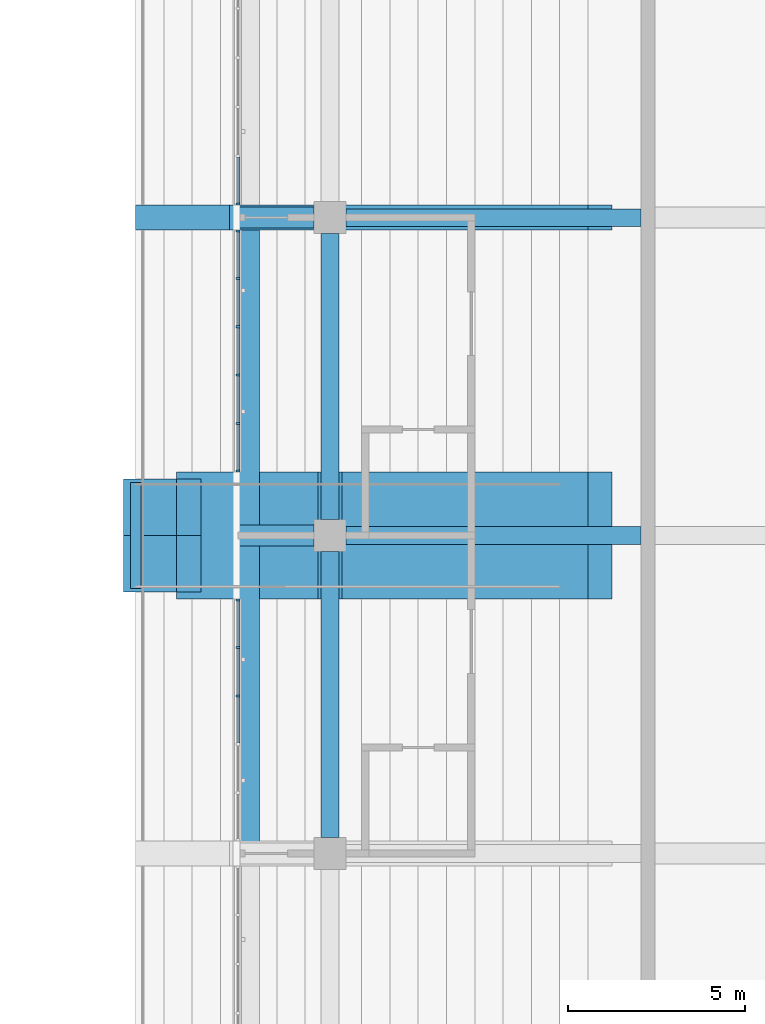
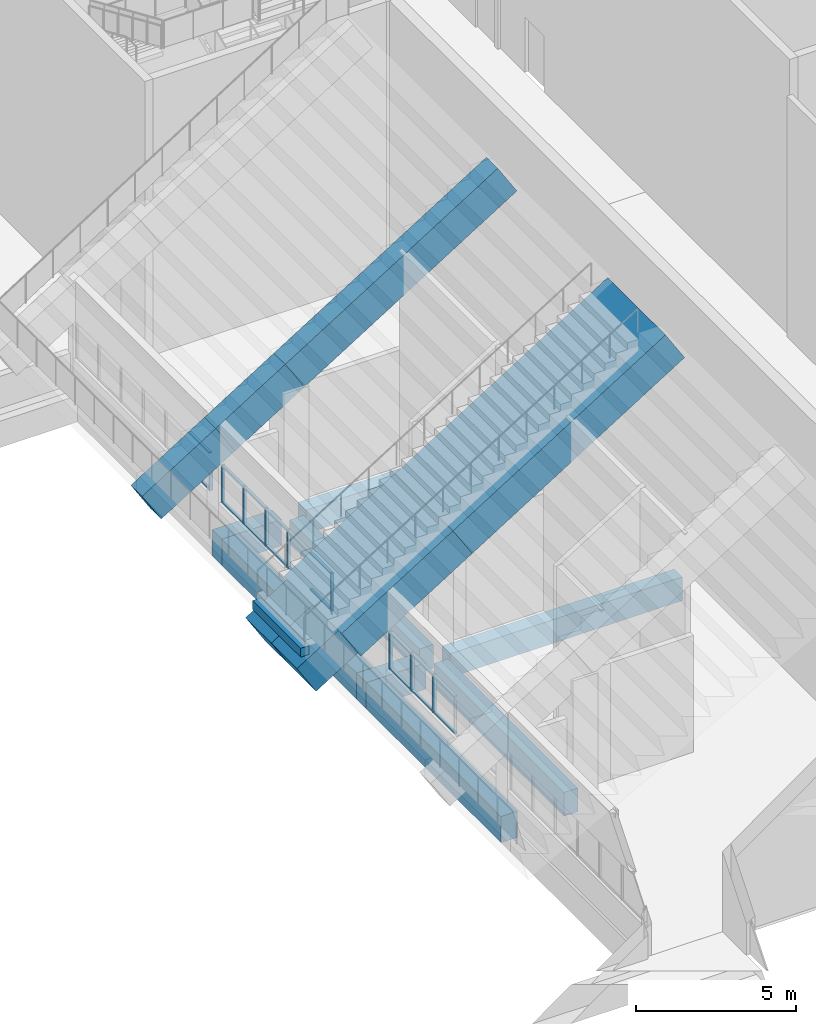
# One storey, part 48 of 182: 28 members, 16 beams, 3 elements without a shape of their own.
"""IFC4 building model written with IfcOpenShell, lengths in metres."""

from ifc_helpers import new_model, si_unit, direction, frame, origin, origin_2d, place, context, subcontext, project, spatial, rectangle, extrude, material, material_profile, profile_set, type_object, element, aggregate, save


model = new_model("IFC4")

# Units and contexts
model_context = context("Model", 3, precision=1e-05, world=origin(), true_north=direction((0.0, 1.0)))
body_context = subcontext(model_context, "Body", "Model", "MODEL_VIEW")
ifc_project = project(units=[si_unit("LENGTHUNIT", "METRE"), si_unit("AREAUNIT", "SQUARE_METRE"), si_unit("VOLUMEUNIT", "CUBIC_METRE"), si_unit("PLANEANGLEUNIT", "RADIAN"), si_unit("MASSUNIT", "GRAM", prefix="KILO")], contexts=[model_context])

# Site, building, storey
site_placement = place(None, origin())
site = spatial("IfcSite", under=ifc_project, at=site_placement, CompositionType="ELEMENT")
building_placement = place(site_placement, origin())
building = spatial("IfcBuilding", under=site, at=building_placement, Name="Silverbay Arena", CompositionType="ELEMENT")
storey_placement = place(building_placement, frame((0.0, 0.0, 11.5)))
storey = spatial("IfcBuildingStorey", under=building, at=storey_placement, Name="L02", CompositionType="ELEMENT", Elevation=11.5)

# Curtain wall, members
ifc_material_1 = material(Name="Fire-resisting glass", Category="glass")
curtain_wall_type_1 = type_object("IfcCurtainWallType", Name="Fire-resisting glazed screen EI 120 6850 x 1437", PredefinedType="NOTDEFINED", material=ifc_material_1)
curtain_wall_1_placement = place(storey_placement, origin())
curtain_wall_1 = element("IfcCurtainWall", 1, at=curtain_wall_1_placement, inside=storey, type_object=curtain_wall_type_1, Name="East suite front 2", PredefinedType="NOTDEFINED")
ifc_material_2 = material(Name="Aluminium", Category="aluminium")
ifc_material_profile_1 = material_profile(ifc_material_2, rectangle(XDim=0.1201171875, YDim=0.06005859375, at=origin_2d()), Name="Mullion 60 x 120")
ifc_profile_set_1 = profile_set([ifc_material_profile_1], Name="Aluminium")
member_type_1 = type_object("IfcMemberType", Name="Mullion 60 x 120", PredefinedType="MULLION", material=ifc_profile_set_1)
member_1_placement = place(storey_placement, frame((177.39990234375, 76.4599609375, 1.10009765625), z_axis=(0.0, 0.0, 1.0), x_axis=(-1.0, 0.0, 0.0)))
member_1 = element("IfcMember", 2, at=member_1_placement, type_object=member_type_1, Name="CW19 mullion 4", PredefinedType="MULLION", context=body_context, shape_type="SweptSolid", body=[
    extrude(rectangle(XDim=0.1201171875, YDim=0.06005859375, at=origin_2d()), origin(), (0.0, 0.0, 1.0), 1.43701171875),
])
member_2_placement = place(storey_placement, frame((177.39990234375, 77.830078125, 1.10009765625), z_axis=(0.0, 0.0, 1.0), x_axis=(-1.0, 0.0, 0.0)))
member_2 = element("IfcMember", 3, at=member_2_placement, type_object=member_type_1, Name="CW19 mullion 5", PredefinedType="MULLION", context=body_context, shape_type="SweptSolid", body=[
    extrude(rectangle(XDim=0.1201171875, YDim=0.06005859375, at=origin_2d()), origin(), (0.0, 0.0, 1.0), 1.43701171875),
])
member_3_placement = place(storey_placement, frame((177.39990234375, 79.169921875, 1.10009765625), z_axis=(0.0, 0.0, 1.0), x_axis=(-1.0, 0.0, 0.0)))
member_3 = element("IfcMember", 4, at=member_3_placement, type_object=member_type_1, Name="CW19 mullion 6", PredefinedType="MULLION", context=body_context, shape_type="SweptSolid", body=[
    extrude(rectangle(XDim=0.1201171875, YDim=0.06005859375, at=origin_2d()), origin(), (0.0, 0.0, 1.0), 1.43701171875),
])

curtain_wall_2_placement = place(storey_placement, origin())
curtain_wall_2 = element("IfcCurtainWall", 5, at=curtain_wall_2_placement, inside=storey, type_object=curtain_wall_type_1, Name="East suite front 3", PredefinedType="NOTDEFINED")
member_4_placement = place(storey_placement, frame((177.39990234375, 82.830078125, 1.10009765625), z_axis=(0.0, 0.0, 1.0), x_axis=(-1.0, 0.0, 0.0)))
member_4 = element("IfcMember", 6, at=member_4_placement, type_object=member_type_1, Name="CW19 mullion 1", PredefinedType="MULLION", context=body_context, shape_type="SweptSolid", body=[
    extrude(rectangle(XDim=0.1201171875, YDim=0.06005859375, at=origin_2d()), origin(), (0.0, 0.0, 1.0), 1.43701171875),
])
member_5_placement = place(storey_placement, frame((177.39990234375, 84.169921875, 1.10009765625), z_axis=(0.0, 0.0, 1.0), x_axis=(-1.0, 0.0, 0.0)))
member_5 = element("IfcMember", 7, at=member_5_placement, type_object=member_type_1, Name="CW19 mullion 2", PredefinedType="MULLION", context=body_context, shape_type="SweptSolid", body=[
    extrude(rectangle(XDim=0.1201171875, YDim=0.06005859375, at=origin_2d()), origin(), (0.0, 0.0, 1.0), 1.43701171875),
])
member_6_placement = place(storey_placement, frame((177.39990234375, 85.5400390625, 1.10009765625), z_axis=(0.0, 0.0, 1.0), x_axis=(-1.0, 0.0, 0.0)))
member_6 = element("IfcMember", 8, at=member_6_placement, type_object=member_type_1, Name="CW19 mullion 3", PredefinedType="MULLION", context=body_context, shape_type="SweptSolid", body=[
    extrude(rectangle(XDim=0.1201171875, YDim=0.06005859375, at=origin_2d()), origin(), (0.0, 0.0, 1.0), 1.43701171875),
])
member_7_placement = place(storey_placement, frame((177.39990234375, 86.909912109375, 1.10009765625), z_axis=(0.0, 0.0, 1.0), x_axis=(-1.0, 0.0, 0.0)))
member_7 = element("IfcMember", 9, at=member_7_placement, type_object=member_type_1, Name="CW19 mullion 4", PredefinedType="MULLION", context=body_context, shape_type="SweptSolid", body=[
    extrude(rectangle(XDim=0.1201171875, YDim=0.06005859375, at=origin_2d()), origin(), (0.0, 0.0, 1.0), 1.43701171875),
])
member_8_placement = place(storey_placement, frame((177.39990234375, 88.280029296875, 1.10009765625), z_axis=(0.0, 0.0, 1.0), x_axis=(-1.0, 0.0, 0.0)))
member_8 = element("IfcMember", 10, at=member_8_placement, type_object=member_type_1, Name="CW19 mullion 5", PredefinedType="MULLION", context=body_context, shape_type="SweptSolid", body=[
    extrude(rectangle(XDim=0.1201171875, YDim=0.06005859375, at=origin_2d()), origin(), (0.0, 0.0, 1.0), 1.43701171875),
])
member_9_placement = place(storey_placement, frame((177.39990234375, 89.6201171875, 1.10009765625), z_axis=(0.0, 0.0, 1.0), x_axis=(-1.0, 0.0, 0.0)))
member_9 = element("IfcMember", 11, at=member_9_placement, type_object=member_type_1, Name="CW19 mullion 6", PredefinedType="MULLION", context=body_context, shape_type="SweptSolid", body=[
    extrude(rectangle(XDim=0.1201171875, YDim=0.06005859375, at=origin_2d()), origin(), (0.0, 0.0, 1.0), 1.43701171875),
])

# Curtain wall, member
ifc_material_3 = material(Name="Fire-resisting glass", Category="glass")
curtain_wall_type_2 = type_object("IfcCurtainWallType", Name="Fire-resisting glazed screen EI 120 8350 x 1437", PredefinedType="NOTDEFINED", material=ifc_material_3)
curtain_wall_3_placement = place(storey_placement, origin())
curtain_wall_3 = element("IfcCurtainWall", 12, at=curtain_wall_3_placement, inside=storey, type_object=curtain_wall_type_2, Name="East suite front 4", PredefinedType="NOTDEFINED")
member_10_placement = place(storey_placement, frame((177.39990234375, 90.3798828125, 1.10009765625), z_axis=(0.0, 0.0, 1.0), x_axis=(-1.0, 0.0, 0.0)))
member_10 = element("IfcMember", 13, at=member_10_placement, type_object=member_type_1, Name="CW20 mullion 1", PredefinedType="MULLION", context=body_context, shape_type="SweptSolid", body=[
    extrude(rectangle(XDim=0.1201171875, YDim=0.06005859375, at=origin_2d()), origin(), (0.0, 0.0, 1.0), 1.43701171875),
])

# Beams
ifc_material_4 = material(Name="Concrete Grade C45", Category="concrete")
ifc_material_profile_2 = material_profile(ifc_material_4, rectangle(XDim=0.5, YDim=0.89990234375, at=origin_2d()), Name="RC 500x900")
ifc_profile_set_2 = profile_set([ifc_material_profile_2], Name="Concrete Grade C45")
beam_type_1 = type_object("IfcBeamType", Name="RC beam 500x900", PredefinedType="BEAM", material=ifc_profile_set_2)
for number, where, z_axis, x_axis, name in (
    (14, (180.449951171875, 81.0, -0.800048828125), (1.0, 0.0, 0.0), (0.0, 1.0, 0.0), "Floor beam L02 092"),
    (15, (180.449951171875, 90.0, -0.800048828125), (1.0, 0.0, 0.0), (0.0, 1.0, 0.0), "Floor beam L02 105"),
):
    element("IfcBeam", number, at=place(storey_placement, frame(where, z_axis=z_axis, x_axis=x_axis)), inside=storey, type_object=beam_type_1, Name=name, PredefinedType="BEAM", context=body_context, shape_type="SweptSolid", body=[
        extrude(rectangle(XDim=0.5, YDim=0.89990234375, at=origin_2d()), origin(), (0.0, 0.0, 1.0), 8.35009765625),
    ])
for number, where, z_axis, x_axis, name in (
    (16, (180.0, 72.449951171875, -0.800048828125), (0.0, 1.0, 0.0), (-1.0, 0.0, 0.0), "Floor beam L02 311"),
    (17, (180.0, 81.449951171875, -0.800048828125), (0.0, 1.0, 0.0), (-1.0, 0.0, 0.0), "Floor beam L02 312"),
):
    element("IfcBeam", number, at=place(storey_placement, frame(where, z_axis=z_axis, x_axis=x_axis)), inside=storey, type_object=beam_type_1, Name=name, PredefinedType="BEAM", context=body_context, shape_type="SweptSolid", body=[
        extrude(rectangle(XDim=0.5, YDim=0.89990234375, at=origin_2d()), origin(), (0.0, 0.0, 1.0), 8.10009765625),
    ])
ifc_material_5 = material(Name="Concrete Grade C45", Category="concrete")
ifc_material_profile_3 = material_profile(ifc_material_5, rectangle(XDim=0.60009765625, YDim=1.0, at=origin_2d()), Name="RC 600x1000")
ifc_profile_set_3 = profile_set([ifc_material_profile_3], Name="Concrete Grade C45")
beam_type_2 = type_object("IfcBeamType", Name="RC beam 600x1000", PredefinedType="BEAM", material=ifc_profile_set_3)
for number, where, z_axis, x_axis, name in (
    (18, (177.39990234375, 81.0, -0.85009765625), (1.0, 0.0, 0.0), (0.0, 1.0, 0.0), "Floor beam L02 091"),
    (19, (177.39990234375, 90.0, -0.85009765625), (1.0, 0.0, 0.0), (0.0, 1.0, 0.0), "Floor beam L02 104"),
):
    element("IfcBeam", number, at=place(storey_placement, frame(where, z_axis=z_axis, x_axis=x_axis)), inside=storey, type_object=beam_type_2, Name=name, PredefinedType="BEAM", context=body_context, shape_type="SweptSolid", body=[
        extrude(rectangle(XDim=0.60009765625, YDim=1.0, at=origin_2d()), origin(), (0.0, 0.0, 1.0), 2.150146484375),
    ])
for number, where, z_axis, x_axis, name in (
    (20, (177.699951171875, 72.300048828125, -0.85009765625), (0.0, 1.0, 0.0), (-1.0, 0.0, 0.0), "Floor beam L02 384"),
    (21, (177.699951171875, 81.300048828125, -0.85009765625), (0.0, 1.0, 0.0), (-1.0, 0.0, 0.0), "Floor beam L02 385"),
):
    element("IfcBeam", number, at=place(storey_placement, frame(where, z_axis=z_axis, x_axis=x_axis)), inside=storey, type_object=beam_type_2, Name=name, PredefinedType="BEAM", context=body_context, shape_type="SweptSolid", body=[
        extrude(rectangle(XDim=0.60009765625, YDim=1.0, at=origin_2d()), origin(), (0.0, 0.0, 1.0), 8.39990234375),
    ])
ifc_material_6 = material(Name="Concrete Grade C45", Category="concrete")
ifc_material_profile_4 = material_profile(ifc_material_6, rectangle(XDim=1.60009765625, YDim=1.300048828125, at=origin_2d()), Name="RC 1600x1300")
ifc_profile_set_4 = profile_set([ifc_material_profile_4], Name="Concrete Grade C45")
beam_type_3 = type_object("IfcBeamType", Name="RC cantilever raker 1600x1300", PredefinedType="BEAM", material=ifc_profile_set_4)
for number, where, z_axis, x_axis, name in (
    (22, (174.5, 80.199951171875, 1.553466796875), (0.847998304005, 0.0, 0.529998940003), (0.0, 1.0, 0.0), "Raker East upper 81 nose L"),
    (23, (174.5, 81.800048828125, 1.553466796875), (0.847998304005, 0.0, 0.529998940003), (0.0, 1.0, 0.0), "Raker East upper 81 nose R"),
):
    element("IfcBeam", number, at=place(storey_placement, frame(where, z_axis=z_axis, x_axis=x_axis)), inside=storey, type_object=beam_type_3, Name=name, PredefinedType="BEAM", context=body_context, shape_type="SweptSolid", body=[
        extrude(rectangle(XDim=1.60009765625, YDim=1.300048828125, at=origin_2d()), origin(), (0.0, 0.0, 1.0), 1.768798828125),
    ])
ifc_material_7 = material(Name="Concrete Grade C45", Category="concrete")
ifc_material_profile_5 = material_profile(ifc_material_7, rectangle(XDim=3.60009765625, YDim=1.300048828125, at=origin_2d()), Name="RC 3600x1300")
ifc_profile_set_5 = profile_set([ifc_material_profile_5], Name="Concrete Grade C45")
beam_type_4 = type_object("IfcBeamType", Name="RC cantilever raker 3600x1300", PredefinedType="BEAM", material=ifc_profile_set_5)
beam_1_placement = place(storey_placement, frame((176.0, 81.0, 2.490966796875), z_axis=(0.847998304005, 0.0, 0.529998940003), x_axis=(0.0, 1.0, 0.0)))
element("IfcBeam", 24, at=beam_1_placement, inside=storey, type_object=beam_type_4, Name="Raker East upper 81 tip", PredefinedType="BEAM", context=body_context, shape_type="SweptSolid", body=[
    extrude(rectangle(XDim=3.60009765625, YDim=1.300048828125, at=origin_2d()), origin(), (0.0, 0.0, 1.0), 4.717041015625),
])
ifc_material_8 = material(Name="Concrete Grade C45", Category="concrete")
ifc_material_profile_6 = material_profile(ifc_material_8, rectangle(XDim=0.699951171875, YDim=1.300048828125, at=origin_2d()), Name="RC 700x1300")
ifc_profile_set_6 = profile_set([ifc_material_profile_6], Name="Concrete Grade C45")
beam_type_5 = type_object("IfcBeamType", Name="RC cantilever raker 700x1300", PredefinedType="BEAM", material=ifc_profile_set_6)
beam_2_placement = place(storey_placement, frame((174.844482421875, 90.0, 1.768798828125), z_axis=(0.848002683915, 0.0, 0.529991932082), x_axis=(0.0, 1.0, 0.0)))
element("IfcBeam", 25, at=beam_2_placement, inside=storey, type_object=beam_type_5, Name="Raker East upper 90 tip", PredefinedType="BEAM", context=body_context, shape_type="SweptSolid", body=[
    extrude(rectangle(XDim=0.699951171875, YDim=1.300048828125, at=origin_2d()), origin(), (0.0, 0.0, 1.0), 3.131591796875),
])
beam_3_placement = place(storey_placement, frame((177.5, 90.0, 3.428466796875), z_axis=(0.847998304005, 0.0, 0.529998940003), x_axis=(0.0, 1.0, 0.0)))
element("IfcBeam", 26, at=beam_3_placement, inside=storey, type_object=beam_type_5, Name="Raker East upper 90 mid", PredefinedType="BEAM", context=body_context, shape_type="SweptSolid", body=[
    extrude(rectangle(XDim=0.699951171875, YDim=1.300048828125, at=origin_2d()), origin(), (0.0, 0.0, 1.0), 2.947998046875),
])
ifc_material_9 = material(Name="Concrete Grade C45", Category="concrete")
ifc_material_profile_7 = material_profile(ifc_material_9, rectangle(XDim=0.300048828125, YDim=0.336181640625, at=origin_2d()), Name="RC 300x336")
ifc_profile_set_7 = profile_set([ifc_material_profile_7], Name="Concrete Grade C45")
beam_type_6 = type_object("IfcBeamType", Name="RC foot plinth 300x336", PredefinedType="BEAM", material=ifc_profile_set_7)
beam_4_placement = place(storey_placement, frame((174.5, 79.5, 2.581787109375), z_axis=(0.0, 1.0, 0.0), x_axis=(-1.0, 0.0, 0.0)))
element("IfcBeam", 27, at=beam_4_placement, inside=storey, type_object=beam_type_6, Name="Foot plinth East upper 81", PredefinedType="BEAM", context=body_context, shape_type="SweptSolid", body=[
    extrude(rectangle(XDim=0.300048828125, YDim=0.336181640625, at=origin_2d()), origin(), (0.0, 0.0, 1.0), 3.0),
])
ifc_material_10 = material(Name="Concrete Grade C45", Category="concrete")
ifc_material_profile_8 = material_profile(ifc_material_10, rectangle(XDim=3.60009765625, YDim=1.300048828125, at=origin_2d()), Name="RC 3600x1300")
ifc_profile_set_8 = profile_set([ifc_material_profile_8], Name="Concrete Grade C45")
beam_type_7 = type_object("IfcBeamType", Name="RC tier raker 3600x1300", PredefinedType="BEAM", material=ifc_profile_set_8)
beam_5_placement = place(storey_placement, frame((180.0, 81.0, 4.990966796875), z_axis=(0.847998304005, 0.0, 0.529998940003), x_axis=(0.0, 1.0, 0.0)))
element("IfcBeam", 28, at=beam_5_placement, inside=storey, type_object=beam_type_7, Name="Raker East upper 81 back", PredefinedType="BEAM", context=body_context, shape_type="SweptSolid", body=[
    extrude(rectangle(XDim=3.60009765625, YDim=1.300048828125, at=origin_2d()), origin(), (0.0, 0.0, 1.0), 9.014892578125),
])
ifc_material_11 = material(Name="Concrete Grade C45", Category="concrete")
ifc_material_profile_9 = material_profile(ifc_material_11, rectangle(XDim=0.699951171875, YDim=1.300048828125, at=origin_2d()), Name="RC 700x1300")
ifc_profile_set_9 = profile_set([ifc_material_profile_9], Name="Concrete Grade C45")
beam_type_8 = type_object("IfcBeamType", Name="RC tier raker 700x1300", PredefinedType="BEAM", material=ifc_profile_set_9)
beam_6_placement = place(storey_placement, frame((180.0, 90.0, 4.990966796875), z_axis=(0.847998304005, 0.0, 0.529998940003), x_axis=(0.0, 1.0, 0.0)))
element("IfcBeam", 29, at=beam_6_placement, inside=storey, type_object=beam_type_8, Name="Raker East upper 90 back", PredefinedType="BEAM", context=body_context, shape_type="SweptSolid", body=[
    extrude(rectangle(XDim=0.699951171875, YDim=1.300048828125, at=origin_2d()), origin(), (0.0, 0.0, 1.0), 9.014892578125),
])

# Member
ifc_material_12 = material(Name="Aluminium", Category="aluminium")
ifc_material_profile_10 = material_profile(ifc_material_12, rectangle(XDim=0.10009765625, YDim=0.050048828125, at=origin_2d()), Name="Transom 50 x 100")
ifc_profile_set_10 = profile_set([ifc_material_profile_10], Name="Aluminium")
member_type_2 = type_object("IfcMemberType", Name="Transom 50 x 100", PredefinedType="USERDEFINED", material=ifc_profile_set_10)
member_11_placement = place(storey_placement, frame((177.39990234375, 75.1201171875, 1.125), z_axis=(0.0, 1.0, 0.0), x_axis=(-1.0, 0.0, 0.0)))
member_11 = element("IfcMember", 30, at=member_11_placement, type_object=member_type_2, Name="CW19 transom 3.1", ObjectType="TRANSOM", PredefinedType="USERDEFINED", context=body_context, shape_type="SweptSolid", body=[
    extrude(rectangle(XDim=0.10009765625, YDim=0.050048828125, at=origin_2d()), origin(), (0.0, 0.0, 1.0), 1.309814453125),
])

member_12_placement = place(storey_placement, frame((177.39990234375, 75.1201171875, 2.511962890625), z_axis=(0.0, 1.0, 0.0), x_axis=(-1.0, 0.0, 0.0)))
member_12 = element("IfcMember", 31, at=member_12_placement, type_object=member_type_2, Name="CW19 transom 3.2", ObjectType="TRANSOM", PredefinedType="USERDEFINED", context=body_context, shape_type="SweptSolid", body=[
    extrude(rectangle(XDim=0.10009765625, YDim=0.050048828125, at=origin_2d()), origin(), (0.0, 0.0, 1.0), 1.309814453125),
])

member_13_placement = place(storey_placement, frame((177.39990234375, 76.489990234375, 1.125), z_axis=(0.0, 1.0, 0.0), x_axis=(-1.0, 0.0, 0.0)))
member_13 = element("IfcMember", 32, at=member_13_placement, type_object=member_type_2, Name="CW19 transom 4.1", ObjectType="TRANSOM", PredefinedType="USERDEFINED", context=body_context, shape_type="SweptSolid", body=[
    extrude(rectangle(XDim=0.10009765625, YDim=0.050048828125, at=origin_2d()), origin(), (0.0, 0.0, 1.0), 1.31005859375),
])

member_14_placement = place(storey_placement, frame((177.39990234375, 76.489990234375, 2.511962890625), z_axis=(0.0, 1.0, 0.0), x_axis=(-1.0, 0.0, 0.0)))
member_14 = element("IfcMember", 33, at=member_14_placement, type_object=member_type_2, Name="CW19 transom 4.2", ObjectType="TRANSOM", PredefinedType="USERDEFINED", context=body_context, shape_type="SweptSolid", body=[
    extrude(rectangle(XDim=0.10009765625, YDim=0.050048828125, at=origin_2d()), origin(), (0.0, 0.0, 1.0), 1.31005859375),
])

member_15_placement = place(storey_placement, frame((177.39990234375, 77.860107421875, 1.125), z_axis=(0.0, 1.0, 0.0), x_axis=(-1.0, 0.0, 0.0)))
member_15 = element("IfcMember", 34, at=member_15_placement, type_object=member_type_2, Name="CW19 transom 5.1", ObjectType="TRANSOM", PredefinedType="USERDEFINED", context=body_context, shape_type="SweptSolid", body=[
    extrude(rectangle(XDim=0.10009765625, YDim=0.050048828125, at=origin_2d()), origin(), (0.0, 0.0, 1.0), 1.27978515625),
])

member_16_placement = place(storey_placement, frame((177.39990234375, 77.860107421875, 2.511962890625), z_axis=(0.0, 1.0, 0.0), x_axis=(-1.0, 0.0, 0.0)))
member_16 = element("IfcMember", 35, at=member_16_placement, type_object=member_type_2, Name="CW19 transom 5.2", ObjectType="TRANSOM", PredefinedType="USERDEFINED", context=body_context, shape_type="SweptSolid", body=[
    extrude(rectangle(XDim=0.10009765625, YDim=0.050048828125, at=origin_2d()), origin(), (0.0, 0.0, 1.0), 1.27978515625),
])

aggregate(curtain_wall_1, [member_1, member_2, member_3, member_11, member_12, member_13, member_14, member_15, member_16])

member_17_placement = place(storey_placement, frame((177.39990234375, 82.860107421875, 1.125), z_axis=(0.0, 1.0, 0.0), x_axis=(-1.0, 0.0, 0.0)))
member_17 = element("IfcMember", 36, at=member_17_placement, type_object=member_type_2, Name="CW19 transom 1.1", ObjectType="TRANSOM", PredefinedType="USERDEFINED", context=body_context, shape_type="SweptSolid", body=[
    extrude(rectangle(XDim=0.10009765625, YDim=0.050048828125, at=origin_2d()), origin(), (0.0, 0.0, 1.0), 1.27978515625),
])

member_18_placement = place(storey_placement, frame((177.39990234375, 82.860107421875, 2.511962890625), z_axis=(0.0, 1.0, 0.0), x_axis=(-1.0, 0.0, 0.0)))
member_18 = element("IfcMember", 37, at=member_18_placement, type_object=member_type_2, Name="CW19 transom 1.2", ObjectType="TRANSOM", PredefinedType="USERDEFINED", context=body_context, shape_type="SweptSolid", body=[
    extrude(rectangle(XDim=0.10009765625, YDim=0.050048828125, at=origin_2d()), origin(), (0.0, 0.0, 1.0), 1.27978515625),
])

member_19_placement = place(storey_placement, frame((177.39990234375, 84.199951171875, 1.125), z_axis=(0.0, 1.0, 0.0), x_axis=(-1.0, 0.0, 0.0)))
member_19 = element("IfcMember", 38, at=member_19_placement, type_object=member_type_2, Name="CW19 transom 2.1", ObjectType="TRANSOM", PredefinedType="USERDEFINED", context=body_context, shape_type="SweptSolid", body=[
    extrude(rectangle(XDim=0.10009765625, YDim=0.050048828125, at=origin_2d()), origin(), (0.0, 0.0, 1.0), 1.31005859375),
])

member_20_placement = place(storey_placement, frame((177.39990234375, 84.199951171875, 2.511962890625), z_axis=(0.0, 1.0, 0.0), x_axis=(-1.0, 0.0, 0.0)))
member_20 = element("IfcMember", 39, at=member_20_placement, type_object=member_type_2, Name="CW19 transom 2.2", ObjectType="TRANSOM", PredefinedType="USERDEFINED", context=body_context, shape_type="SweptSolid", body=[
    extrude(rectangle(XDim=0.10009765625, YDim=0.050048828125, at=origin_2d()), origin(), (0.0, 0.0, 1.0), 1.31005859375),
])

member_21_placement = place(storey_placement, frame((177.39990234375, 85.570068359375, 1.125), z_axis=(0.0, 1.0, 0.0), x_axis=(-1.0, 0.0, 0.0)))
member_21 = element("IfcMember", 40, at=member_21_placement, type_object=member_type_2, Name="CW19 transom 3.1", ObjectType="TRANSOM", PredefinedType="USERDEFINED", context=body_context, shape_type="SweptSolid", body=[
    extrude(rectangle(XDim=0.10009765625, YDim=0.050048828125, at=origin_2d()), origin(), (0.0, 0.0, 1.0), 1.309814453125),
])

member_22_placement = place(storey_placement, frame((177.39990234375, 85.570068359375, 2.511962890625), z_axis=(0.0, 1.0, 0.0), x_axis=(-1.0, 0.0, 0.0)))
member_22 = element("IfcMember", 41, at=member_22_placement, type_object=member_type_2, Name="CW19 transom 3.2", ObjectType="TRANSOM", PredefinedType="USERDEFINED", context=body_context, shape_type="SweptSolid", body=[
    extrude(rectangle(XDim=0.10009765625, YDim=0.050048828125, at=origin_2d()), origin(), (0.0, 0.0, 1.0), 1.309814453125),
])

member_23_placement = place(storey_placement, frame((177.39990234375, 86.93994140625, 1.125), z_axis=(0.0, 1.0, 0.0), x_axis=(-1.0, 0.0, 0.0)))
member_23 = element("IfcMember", 42, at=member_23_placement, type_object=member_type_2, Name="CW19 transom 4.1", ObjectType="TRANSOM", PredefinedType="USERDEFINED", context=body_context, shape_type="SweptSolid", body=[
    extrude(rectangle(XDim=0.10009765625, YDim=0.050048828125, at=origin_2d()), origin(), (0.0, 0.0, 1.0), 1.31005859375),
])

member_24_placement = place(storey_placement, frame((177.39990234375, 86.93994140625, 2.511962890625), z_axis=(0.0, 1.0, 0.0), x_axis=(-1.0, 0.0, 0.0)))
member_24 = element("IfcMember", 43, at=member_24_placement, type_object=member_type_2, Name="CW19 transom 4.2", ObjectType="TRANSOM", PredefinedType="USERDEFINED", context=body_context, shape_type="SweptSolid", body=[
    extrude(rectangle(XDim=0.10009765625, YDim=0.050048828125, at=origin_2d()), origin(), (0.0, 0.0, 1.0), 1.31005859375),
])

member_25_placement = place(storey_placement, frame((177.39990234375, 88.31005859375, 1.125), z_axis=(0.0, 1.0, 0.0), x_axis=(-1.0, 0.0, 0.0)))
member_25 = element("IfcMember", 44, at=member_25_placement, type_object=member_type_2, Name="CW19 transom 5.1", ObjectType="TRANSOM", PredefinedType="USERDEFINED", context=body_context, shape_type="SweptSolid", body=[
    extrude(rectangle(XDim=0.10009765625, YDim=0.050048828125, at=origin_2d()), origin(), (0.0, 0.0, 1.0), 1.280029296875),
])

member_26_placement = place(storey_placement, frame((177.39990234375, 88.31005859375, 2.511962890625), z_axis=(0.0, 1.0, 0.0), x_axis=(-1.0, 0.0, 0.0)))
member_26 = element("IfcMember", 45, at=member_26_placement, type_object=member_type_2, Name="CW19 transom 5.2", ObjectType="TRANSOM", PredefinedType="USERDEFINED", context=body_context, shape_type="SweptSolid", body=[
    extrude(rectangle(XDim=0.10009765625, YDim=0.050048828125, at=origin_2d()), origin(), (0.0, 0.0, 1.0), 1.280029296875),
])

aggregate(curtain_wall_2, [member_4, member_5, member_6, member_7, member_8, member_9, member_17, member_18, member_19, member_20, member_21, member_22, member_23, member_24, member_25, member_26])

member_27_placement = place(storey_placement, frame((177.39990234375, 90.409912109375, 1.125), z_axis=(0.0, 1.0, 0.0), x_axis=(-1.0, 0.0, 0.0)))
member_27 = element("IfcMember", 46, at=member_27_placement, type_object=member_type_2, Name="CW20 transom 1.1", ObjectType="TRANSOM", PredefinedType="USERDEFINED", context=body_context, shape_type="SweptSolid", body=[
    extrude(rectangle(XDim=0.10009765625, YDim=0.050048828125, at=origin_2d()), origin(), (0.0, 0.0, 1.0), 1.3017578125),
])

member_28_placement = place(storey_placement, frame((177.39990234375, 90.409912109375, 2.511962890625), z_axis=(0.0, 1.0, 0.0), x_axis=(-1.0, 0.0, 0.0)))
member_28 = element("IfcMember", 47, at=member_28_placement, type_object=member_type_2, Name="CW20 transom 1.2", ObjectType="TRANSOM", PredefinedType="USERDEFINED", context=body_context, shape_type="SweptSolid", body=[
    extrude(rectangle(XDim=0.10009765625, YDim=0.050048828125, at=origin_2d()), origin(), (0.0, 0.0, 1.0), 1.3017578125),
])

aggregate(curtain_wall_3, [member_10, member_27, member_28])

save(model, "model.ifc")
